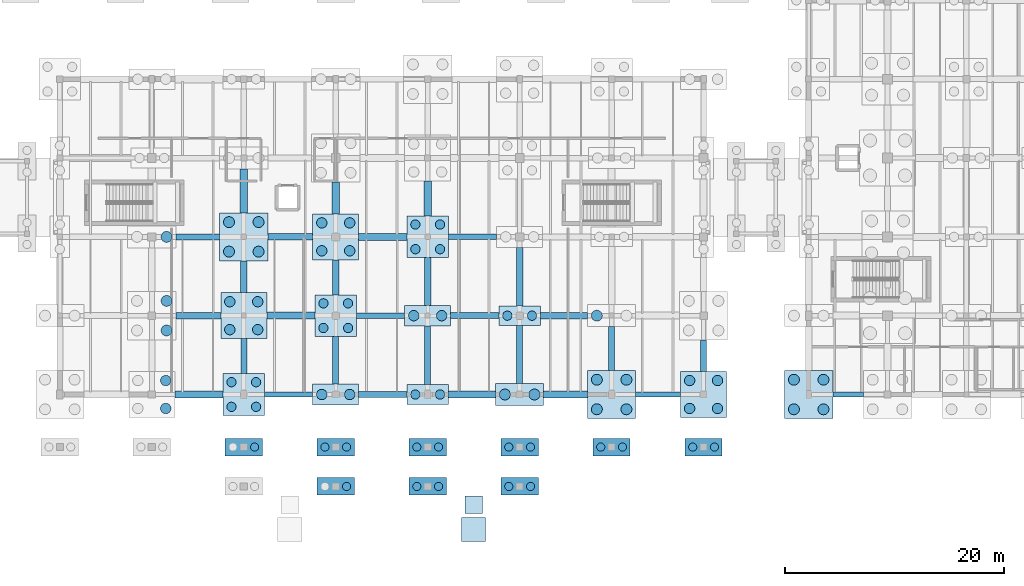
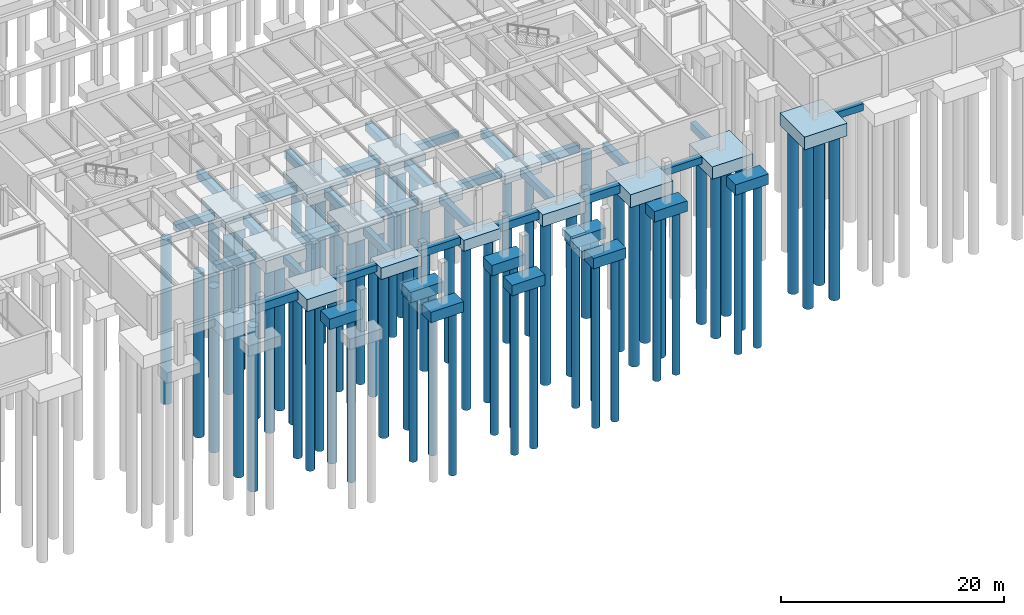
# One storey, part 4 of 63: 68 piles, 54 footings.
"""IFC4 building model written with IfcOpenShell, lengths in metres."""

from ifc_helpers import new_model, si_unit, direction, frame, origin, origin_2d, place, context, subcontext, project, spatial, rectangle, circle, extrude, material, material_profile, profile_set, type_object, element, save


model = new_model("IFC4")

# Units and contexts
model_context = context("Model", 3, precision=1e-05, world=origin(), true_north=direction((0.0, 1.0)))
body_context = subcontext(model_context, "Body", "Model", "MODEL_VIEW")
ifc_project = project(units=[si_unit("LENGTHUNIT", "METRE"), si_unit("AREAUNIT", "SQUARE_METRE"), si_unit("VOLUMEUNIT", "CUBIC_METRE"), si_unit("PLANEANGLEUNIT", "RADIAN"), si_unit("MASSUNIT", "GRAM", prefix="KILO")], contexts=[model_context])

# Site, building, storey
site_placement = place(None, origin())
site = spatial("IfcSite", under=ifc_project, at=site_placement, CompositionType="ELEMENT")
building_placement = place(site_placement, origin())
building = spatial("IfcBuilding", under=site, at=building_placement, Name="Mazaris Harbour Polytechnic", CompositionType="ELEMENT")
storey_placement = place(building_placement, frame((0.0, 0.0, -4.5)))
storey = spatial("IfcBuildingStorey", under=building, at=storey_placement, Name="B1", CompositionType="ELEMENT", Elevation=-4.5)

# Piles
ifc_material_1 = material(Name="Concrete C35/45", Category="concrete")
ifc_material_profile_1 = material_profile(ifc_material_1, circle(Radius=0.5, at=origin_2d()), Name="DIA1000")
ifc_profile_set_1 = profile_set([ifc_material_profile_1], Name="Concrete C35/45")
pile_type_1 = type_object("IfcPileType", Name="Bored Pile 1000", PredefinedType="BORED", material=ifc_profile_set_1)
for number, where, z_axis, x_axis, name in (
    (1, (121.050048828125, 5.85009765625, -1.719970703125), (0.0, 0.0, -1.0), (1.0, 0.0, 0.0), "Bored Pile BP-064-1"),
    (2, (123.75, 5.85009765625, -1.719970703125), (0.0, 0.0, -1.0), (1.0, 0.0, 0.0), "Bored Pile BP-064-2"),
    (3, (121.050048828125, 8.550048828125, -1.719970703125), (0.0, 0.0, -1.0), (1.0, 0.0, 0.0), "Bored Pile BP-064-3"),
    (4, (123.75, 8.550048828125, -1.719970703125), (0.0, 0.0, -1.0), (1.0, 0.0, 0.0), "Bored Pile BP-064-4"),
    (5, (63.75, 13.050048828125, -1.719970703125), (0.0, 0.0, -1.0), (1.0, 0.0, 0.0), "Bored Pile BP-118-2"),
    (6, (63.75, 15.75, -1.719970703125), (0.0, 0.0, -1.0), (1.0, 0.0, 0.0), "Bored Pile BP-118-4"),
    (7, (63.75, 21.60009765625, -1.6201171875), (0.0, 0.0, -1.0), (1.0, 0.0, 0.0), "Bored Pile BP-119-2"),
    (8, (69.449951171875, 20.25, -1.719970703125), (0.0, 0.0, -1.0), (1.0, 0.0, 0.0), "Bored Pile BP-124-1"),
    (9, (72.14990234375, 20.25, -1.719970703125), (0.0, 0.0, -1.0), (1.0, 0.0, 0.0), "Bored Pile BP-124-2"),
    (10, (69.449951171875, 22.949951171875, -1.719970703125), (0.0, 0.0, -1.0), (1.0, 0.0, 0.0), "Bored Pile BP-124-3"),
    (11, (72.14990234375, 22.949951171875, -1.719970703125), (0.0, 0.0, -1.0), (1.0, 0.0, 0.0), "Bored Pile BP-124-4"),
    (12, (94.64990234375, 7.199951171875, -1.6201171875), (0.0, 0.0, -1.0), (1.0, 0.0, 0.0), "Bored Pile BP-137-1"),
    (13, (97.35009765625, 7.199951171875, -1.6201171875), (0.0, 0.0, -1.0), (1.0, 0.0, 0.0), "Bored Pile BP-137-2"),
    (14, (103.050048828125, 5.85009765625, -1.719970703125), (0.0, 0.0, -1.0), (1.0, 0.0, 0.0), "Bored Pile BP-142-1"),
    (15, (105.75, 5.85009765625, -1.719970703125), (0.0, 0.0, -1.0), (1.0, 0.0, 0.0), "Bored Pile BP-142-2"),
    (16, (103.050048828125, 8.550048828125, -1.719970703125), (0.0, 0.0, -1.0), (1.0, 0.0, 0.0), "Bored Pile BP-142-3"),
    (17, (105.75, 8.550048828125, -1.719970703125), (0.0, 0.0, -1.0), (1.0, 0.0, 0.0), "Bored Pile BP-142-4"),
    (18, (103.050048828125, 14.39990234375, -1.6201171875), (0.0, 0.0, -1.0), (1.0, 0.0, 0.0), "Bored Pile BP-143-1"),
):
    element("IfcPile", number, at=place(storey_placement, frame(where, z_axis=z_axis, x_axis=x_axis)), inside=storey, type_object=pile_type_1, Name=name, PredefinedType="BORED", context=body_context, shape_type="SweptSolid", body=[
        extrude(circle(Radius=0.5, at=origin_2d()), origin(), (0.0, 0.0, 1.0), 18.0),
    ])
ifc_material_2 = material(Name="Concrete C35/45", Category="concrete")
ifc_material_profile_2 = material_profile(ifc_material_2, circle(Radius=0.375, at=origin_2d()), Name="DIA750")
ifc_profile_set_2 = profile_set([ifc_material_profile_2], Name="Concrete C35/45")
pile_type_2 = type_object("IfcPileType", Name="Bored Pile 750", PredefinedType="BORED", material=ifc_profile_set_2)
for number, where, z_axis, x_axis, name in (
    (19, (71.793701171875, 2.39990234375, -1.429931640625), (0.0, 0.0, -1.0), (1.0, 0.0, 0.0), "Bored Pile BP-330-2"),
    (20, (78.206298828125, 2.39990234375, -1.429931640625), (0.0, 0.0, -1.0), (1.0, 0.0, 0.0), "Bored Pile BP-331-1"),
    (21, (80.19384765625, 2.39990234375, -1.429931640625), (0.0, 0.0, -1.0), (1.0, 0.0, 0.0), "Bored Pile BP-331-2"),
    (22, (86.606201171875, 2.39990234375, -1.429931640625), (0.0, 0.0, -1.0), (1.0, 0.0, 0.0), "Bored Pile BP-332-1"),
    (23, (88.59375, 2.39990234375, -1.429931640625), (0.0, 0.0, -1.0), (1.0, 0.0, 0.0), "Bored Pile BP-332-2"),
    (24, (95.006103515625, 2.39990234375, -1.429931640625), (0.0, 0.0, -1.0), (1.0, 0.0, 0.0), "Bored Pile BP-333-1"),
    (25, (96.993896484375, 2.39990234375, -1.429931640625), (0.0, 0.0, -1.0), (1.0, 0.0, 0.0), "Bored Pile BP-333-2"),
    (26, (103.40625, 2.39990234375, -1.429931640625), (0.0, 0.0, -1.0), (1.0, 0.0, 0.0), "Bored Pile BP-334-1"),
    (27, (105.393798828125, 2.39990234375, -1.429931640625), (0.0, 0.0, -1.0), (1.0, 0.0, 0.0), "Bored Pile BP-334-2"),
    (28, (111.80615234375, 2.39990234375, -1.429931640625), (0.0, 0.0, -1.0), (1.0, 0.0, 0.0), "Bored Pile BP-335-1"),
    (29, (113.793701171875, 2.39990234375, -1.429931640625), (0.0, 0.0, -1.0), (1.0, 0.0, 0.0), "Bored Pile BP-335-2"),
    (30, (80.19384765625, -1.199951171875, -1.429931640625), (0.0, 0.0, -1.0), (1.0, 0.0, 0.0), "Bored Pile BP-337-2"),
    (31, (86.606201171875, -1.199951171875, -1.429931640625), (0.0, 0.0, -1.0), (1.0, 0.0, 0.0), "Bored Pile BP-338-1"),
    (32, (88.59375, -1.199951171875, -1.429931640625), (0.0, 0.0, -1.0), (1.0, 0.0, 0.0), "Bored Pile BP-338-2"),
    (33, (95.006103515625, -1.199951171875, -1.429931640625), (0.0, 0.0, -1.0), (1.0, 0.0, 0.0), "Bored Pile BP-339-1"),
    (34, (96.993896484375, -1.199951171875, -1.429931640625), (0.0, 0.0, -1.0), (1.0, 0.0, 0.0), "Bored Pile BP-339-2"),
):
    element("IfcPile", number, at=place(storey_placement, frame(where, z_axis=z_axis, x_axis=x_axis)), inside=storey, type_object=pile_type_2, Name=name, PredefinedType="BORED", context=body_context, shape_type="SweptSolid", body=[
        extrude(circle(Radius=0.375, at=origin_2d()), origin(), (0.0, 0.0, 1.0), 18.0),
    ])
ifc_material_3 = material(Name="Concrete C35/45", Category="concrete")
ifc_material_profile_3 = material_profile(ifc_material_3, circle(Radius=0.425048828125, at=origin_2d()), Name="DIA850")
ifc_profile_set_3 = profile_set([ifc_material_profile_3], Name="Concrete C35/45")
pile_type_3 = type_object("IfcPileType", Name="Bored Pile 850", PredefinedType="BORED", material=ifc_profile_set_3)
for number, where, z_axis, x_axis, name in (
    (35, (69.673828125, 6.07373046875, -1.6201171875), (0.0, 0.0, -1.0), (1.0, 0.0, 0.0), "Bored Pile BP-122-1"),
    (36, (71.92626953125, 6.07373046875, -1.6201171875), (0.0, 0.0, -1.0), (1.0, 0.0, 0.0), "Bored Pile BP-122-2"),
    (37, (69.673828125, 8.326171875, -1.6201171875), (0.0, 0.0, -1.0), (1.0, 0.0, 0.0), "Bored Pile BP-122-3"),
    (38, (71.92626953125, 8.326171875, -1.6201171875), (0.0, 0.0, -1.0), (1.0, 0.0, 0.0), "Bored Pile BP-122-4"),
    (39, (78.07373046875, 13.273681640625, -1.6201171875), (0.0, 0.0, -1.0), (1.0, 0.0, 0.0), "Bored Pile BP-128-1"),
    (40, (80.326171875, 13.273681640625, -1.6201171875), (0.0, 0.0, -1.0), (1.0, 0.0, 0.0), "Bored Pile BP-128-2"),
    (41, (78.07373046875, 15.526123046875, -1.6201171875), (0.0, 0.0, -1.0), (1.0, 0.0, 0.0), "Bored Pile BP-128-3"),
    (42, (80.326171875, 15.526123046875, -1.6201171875), (0.0, 0.0, -1.0), (1.0, 0.0, 0.0), "Bored Pile BP-128-4"),
    (43, (86.473876953125, 7.199951171875, -1.52001953125), (0.0, 0.0, -1.0), (1.0, 0.0, 0.0), "Bored Pile BP-132-1"),
    (44, (88.726318359375, 7.199951171875, -1.52001953125), (0.0, 0.0, -1.0), (1.0, 0.0, 0.0), "Bored Pile BP-132-2"),
    (45, (86.473876953125, 20.473876953125, -1.6201171875), (0.0, 0.0, -1.0), (1.0, 0.0, 0.0), "Bored Pile BP-134-1"),
    (46, (88.726318359375, 20.473876953125, -1.6201171875), (0.0, 0.0, -1.0), (1.0, 0.0, 0.0), "Bored Pile BP-134-2"),
    (47, (86.473876953125, 22.726318359375, -1.6201171875), (0.0, 0.0, -1.0), (1.0, 0.0, 0.0), "Bored Pile BP-134-3"),
    (48, (88.726318359375, 22.726318359375, -1.6201171875), (0.0, 0.0, -1.0), (1.0, 0.0, 0.0), "Bored Pile BP-134-4"),
    (49, (94.873779296875, 14.39990234375, -1.52001953125), (0.0, 0.0, -1.0), (1.0, 0.0, 0.0), "Bored Pile BP-138-1"),
    (50, (97.126220703125, 14.39990234375, -1.52001953125), (0.0, 0.0, -1.0), (1.0, 0.0, 0.0), "Bored Pile BP-138-2"),
):
    element("IfcPile", number, at=place(storey_placement, frame(where, z_axis=z_axis, x_axis=x_axis)), inside=storey, type_object=pile_type_3, Name=name, PredefinedType="BORED", context=body_context, shape_type="SweptSolid", body=[
        extrude(circle(Radius=0.425048828125, at=origin_2d()), origin(), (0.0, 0.0, 1.0), 18.0),
    ])
ifc_material_4 = material(Name="Concrete C35/45", Category="concrete")
ifc_material_profile_4 = material_profile(ifc_material_4, circle(Radius=0.47509765625, at=origin_2d()), Name="DIA950")
ifc_profile_set_4 = profile_set([ifc_material_profile_4], Name="Concrete C35/45")
pile_type_4 = type_object("IfcPileType", Name="Bored Pile 950", PredefinedType="BORED", material=ifc_profile_set_4)
for number, where, z_axis, x_axis, name in (
    (51, (63.675048828125, 5.925048828125, -1.669921875), (0.0, 0.0, -1.0), (1.0, 0.0, 0.0), "Bored Pile BP-117-2"),
    (52, (63.675048828125, 8.47509765625, -1.669921875), (0.0, 0.0, -1.0), (1.0, 0.0, 0.0), "Bored Pile BP-117-4"),
    (53, (69.52490234375, 13.125, -1.669921875), (0.0, 0.0, -1.0), (1.0, 0.0, 0.0), "Bored Pile BP-123-1"),
    (54, (72.074951171875, 13.125, -1.669921875), (0.0, 0.0, -1.0), (1.0, 0.0, 0.0), "Bored Pile BP-123-2"),
    (55, (69.52490234375, 15.675048828125, -1.669921875), (0.0, 0.0, -1.0), (1.0, 0.0, 0.0), "Bored Pile BP-123-3"),
    (56, (72.074951171875, 15.675048828125, -1.669921875), (0.0, 0.0, -1.0), (1.0, 0.0, 0.0), "Bored Pile BP-123-4"),
    (57, (77.925048828125, 7.199951171875, -1.570068359375), (0.0, 0.0, -1.0), (1.0, 0.0, 0.0), "Bored Pile BP-127-1"),
    (58, (80.47509765625, 7.199951171875, -1.570068359375), (0.0, 0.0, -1.0), (1.0, 0.0, 0.0), "Bored Pile BP-127-2"),
    (59, (77.925048828125, 20.324951171875, -1.669921875), (0.0, 0.0, -1.0), (1.0, 0.0, 0.0), "Bored Pile BP-129-1"),
    (60, (80.47509765625, 20.324951171875, -1.669921875), (0.0, 0.0, -1.0), (1.0, 0.0, 0.0), "Bored Pile BP-129-2"),
    (61, (77.925048828125, 22.875, -1.669921875), (0.0, 0.0, -1.0), (1.0, 0.0, 0.0), "Bored Pile BP-129-3"),
    (62, (80.47509765625, 22.875, -1.669921875), (0.0, 0.0, -1.0), (1.0, 0.0, 0.0), "Bored Pile BP-129-4"),
    (63, (86.324951171875, 14.39990234375, -1.570068359375), (0.0, 0.0, -1.0), (1.0, 0.0, 0.0), "Bored Pile BP-133-1"),
    (64, (88.875, 14.39990234375, -1.570068359375), (0.0, 0.0, -1.0), (1.0, 0.0, 0.0), "Bored Pile BP-133-2"),
    (65, (111.52490234375, 5.925048828125, -1.669921875), (0.0, 0.0, -1.0), (1.0, 0.0, 0.0), "Bored Pile BP-147-1"),
    (66, (114.074951171875, 5.925048828125, -1.669921875), (0.0, 0.0, -1.0), (1.0, 0.0, 0.0), "Bored Pile BP-147-2"),
    (67, (111.52490234375, 8.47509765625, -1.669921875), (0.0, 0.0, -1.0), (1.0, 0.0, 0.0), "Bored Pile BP-147-3"),
    (68, (114.074951171875, 8.47509765625, -1.669921875), (0.0, 0.0, -1.0), (1.0, 0.0, 0.0), "Bored Pile BP-147-4"),
):
    element("IfcPile", number, at=place(storey_placement, frame(where, z_axis=z_axis, x_axis=x_axis)), inside=storey, type_object=pile_type_4, Name=name, PredefinedType="BORED", context=body_context, shape_type="SweptSolid", body=[
        extrude(circle(Radius=0.47509765625, at=origin_2d()), origin(), (0.0, 0.0, 1.0), 18.0),
    ])

# Footings
ifc_material_5 = material(Name="Concrete C35/45", Category="concrete")
footing_type_1 = type_object("IfcFootingType", Name="Pad Footing 1600x1600x750", PredefinedType="PAD_FOOTING", material=ifc_material_5)
footing_1_placement = place(storey_placement, frame((91.800048828125, -2.8701171875, 3.405029296875), z_axis=(0.0, 0.0, 1.0), x_axis=(1.0, 0.0, 0.0)))
element("IfcFooting", 69, at=footing_1_placement, inside=storey, type_object=footing_type_1, Name="RAMP-02 Top Landing Footing", PredefinedType="PAD_FOOTING", context=body_context, shape_type="SweptSolid", body=[
    extrude(rectangle(XDim=1.60009765625, YDim=1.60009765625, at=origin_2d()), origin(), (0.0, 0.0, 1.0), 0.75),
])
ifc_material_6 = material(Name="Concrete C35/45", Category="concrete")
footing_type_2 = type_object("IfcFootingType", Name="Pad Footing 2200x2200x900", PredefinedType="PAD_FOOTING", material=ifc_material_6)
footing_2_placement = place(storey_placement, frame((91.800048828125, -5.1201171875, 3.300048828125), z_axis=(0.0, 0.0, 1.0), x_axis=(1.0, 0.0, 0.0)))
element("IfcFooting", 70, at=footing_2_placement, inside=storey, type_object=footing_type_2, Name="RAMP-02 Bottom Landing Footing", PredefinedType="PAD_FOOTING", context=body_context, shape_type="SweptSolid", body=[
    extrude(rectangle(XDim=2.199951171875, YDim=2.199951171875, at=origin_2d()), origin(), (0.0, 0.0, 1.0), 0.89990234375),
])
ifc_material_7 = material(Name="Concrete C35/45", Category="concrete")
footing_type_3 = type_object("IfcFootingType", Name="Pile Cap 3400x1600x1150", PredefinedType="PILE_CAP", material=ifc_material_7)
for number, where, z_axis, x_axis, name in (
    (71, (70.800048828125, 2.39990234375, -1.530029296875), (0.0, 0.0, 1.0), (1.0, 0.0, 0.0), "Pile Cap CAP-330"),
    (72, (79.199951171875, 2.39990234375, -1.530029296875), (0.0, 0.0, 1.0), (1.0, 0.0, 0.0), "Pile Cap CAP-331"),
    (73, (87.60009765625, 2.39990234375, -1.530029296875), (0.0, 0.0, 1.0), (1.0, 0.0, 0.0), "Pile Cap CAP-332"),
    (74, (96.0, 2.39990234375, -1.530029296875), (0.0, 0.0, 1.0), (1.0, 0.0, 0.0), "Pile Cap CAP-333"),
    (75, (104.39990234375, 2.39990234375, -1.530029296875), (0.0, 0.0, 1.0), (1.0, 0.0, 0.0), "Pile Cap CAP-334"),
    (76, (112.800048828125, 2.39990234375, -1.530029296875), (0.0, 0.0, 1.0), (1.0, 0.0, 0.0), "Pile Cap CAP-335"),
    (77, (79.199951171875, -1.199951171875, -1.530029296875), (0.0, 0.0, 1.0), (1.0, 0.0, 0.0), "Pile Cap CAP-337"),
    (78, (87.60009765625, -1.199951171875, -1.530029296875), (0.0, 0.0, 1.0), (1.0, 0.0, 0.0), "Pile Cap CAP-338"),
    (79, (96.0, -1.199951171875, -1.530029296875), (0.0, 0.0, 1.0), (1.0, 0.0, 0.0), "Pile Cap CAP-339"),
):
    element("IfcFooting", number, at=place(storey_placement, frame(where, z_axis=z_axis, x_axis=x_axis)), inside=storey, type_object=footing_type_3, Name=name, PredefinedType="PILE_CAP", context=body_context, shape_type="SweptSolid", body=[
        extrude(rectangle(XDim=3.39990234375, YDim=1.60009765625, at=origin_2d()), origin(), (0.0, 0.0, 1.0), 1.14990234375),
    ])
ifc_material_8 = material(Name="Concrete C35/45", Category="concrete")
footing_type_4 = type_object("IfcFootingType", Name="Pile Cap 3800x1800x1200", PredefinedType="PILE_CAP", material=ifc_material_8)
for number, where, z_axis, x_axis, name in (
    (80, (87.60009765625, 7.199951171875, -1.6201171875), (0.0, 0.0, 1.0), (1.0, 0.0, 0.0), "Pile Cap CAP-132"),
    (81, (96.0, 14.39990234375, -1.6201171875), (0.0, 0.0, 1.0), (1.0, 0.0, 0.0), "Pile Cap CAP-138"),
):
    element("IfcFooting", number, at=place(storey_placement, frame(where, z_axis=z_axis, x_axis=x_axis)), inside=storey, type_object=footing_type_4, Name=name, PredefinedType="PILE_CAP", context=body_context, shape_type="SweptSolid", body=[
        extrude(rectangle(XDim=3.800048828125, YDim=1.800048828125, at=origin_2d()), origin(), (0.0, 0.0, 1.0), 1.199951171875),
    ])
ifc_material_9 = material(Name="Concrete C35/45", Category="concrete")
footing_type_5 = type_object("IfcFootingType", Name="Pile Cap 3800x3800x1300", PredefinedType="PILE_CAP", material=ifc_material_9)
for number, where, z_axis, x_axis, name in (
    (82, (70.800048828125, 7.199951171875, -1.72021484375), (0.0, 0.0, 1.0), (1.0, 0.0, 0.0), "Pile Cap CAP-122"),
    (83, (79.199951171875, 14.39990234375, -1.72021484375), (0.0, 0.0, 1.0), (1.0, 0.0, 0.0), "Pile Cap CAP-128"),
    (84, (87.60009765625, 21.60009765625, -1.72021484375), (0.0, 0.0, 1.0), (1.0, 0.0, 0.0), "Pile Cap CAP-134"),
):
    element("IfcFooting", number, at=place(storey_placement, frame(where, z_axis=z_axis, x_axis=x_axis)), inside=storey, type_object=footing_type_5, Name=name, PredefinedType="PILE_CAP", context=body_context, shape_type="SweptSolid", body=[
        extrude(rectangle(XDim=3.800048828125, YDim=3.800048828125, at=origin_2d()), origin(), (0.0, 0.0, 1.0), 1.300048828125),
    ])
ifc_material_10 = material(Name="Concrete C35/45", Category="concrete")
footing_type_6 = type_object("IfcFootingType", Name="Pile Cap 4200x1900x1250", PredefinedType="PILE_CAP", material=ifc_material_10)
for number, where, z_axis, x_axis, name in (
    (85, (79.199951171875, 7.199951171875, -1.669921875), (0.0, 0.0, 1.0), (1.0, 0.0, 0.0), "Pile Cap CAP-127"),
    (86, (87.60009765625, 14.39990234375, -1.669921875), (0.0, 0.0, 1.0), (1.0, 0.0, 0.0), "Pile Cap CAP-133"),
):
    element("IfcFooting", number, at=place(storey_placement, frame(where, z_axis=z_axis, x_axis=x_axis)), inside=storey, type_object=footing_type_6, Name=name, PredefinedType="PILE_CAP", context=body_context, shape_type="SweptSolid", body=[
        extrude(rectangle(XDim=4.199951171875, YDim=1.89990234375, at=origin_2d()), origin(), (0.0, 0.0, 1.0), 1.25),
    ])
ifc_material_11 = material(Name="Concrete C35/45", Category="concrete")
footing_type_7 = type_object("IfcFootingType", Name="Pile Cap 4200x4200x1350", PredefinedType="PILE_CAP", material=ifc_material_11)
for number, where, z_axis, x_axis, name in (
    (87, (70.800048828125, 14.39990234375, -1.77001953125), (0.0, 0.0, 1.0), (1.0, 0.0, 0.0), "Pile Cap CAP-123"),
    (88, (79.199951171875, 21.60009765625, -1.77001953125), (0.0, 0.0, 1.0), (1.0, 0.0, 0.0), "Pile Cap CAP-129"),
    (89, (112.800048828125, 7.199951171875, -1.77001953125), (0.0, 0.0, 1.0), (1.0, 0.0, 0.0), "Pile Cap CAP-147"),
):
    element("IfcFooting", number, at=place(storey_placement, frame(where, z_axis=z_axis, x_axis=x_axis)), inside=storey, type_object=footing_type_7, Name=name, PredefinedType="PILE_CAP", context=body_context, shape_type="SweptSolid", body=[
        extrude(rectangle(XDim=4.199951171875, YDim=4.199951171875, at=origin_2d()), origin(), (0.0, 0.0, 1.0), 1.35009765625),
    ])
ifc_material_12 = material(Name="Concrete C35/45", Category="concrete")
footing_type_8 = type_object("IfcFootingType", Name="Pile Cap 4400x2000x1300", PredefinedType="PILE_CAP", material=ifc_material_12)
footing_3_placement = place(storey_placement, frame((96.0, 7.199951171875, -1.72021484375), z_axis=(0.0, 0.0, 1.0), x_axis=(1.0, 0.0, 0.0)))
element("IfcFooting", 90, at=footing_3_placement, inside=storey, type_object=footing_type_8, Name="Pile Cap CAP-137", PredefinedType="PILE_CAP", context=body_context, shape_type="SweptSolid", body=[
    extrude(rectangle(XDim=4.39990234375, YDim=2.0, at=origin_2d()), origin(), (0.0, 0.0, 1.0), 1.300048828125),
])
ifc_material_13 = material(Name="Concrete C35/45", Category="concrete")
footing_type_9 = type_object("IfcFootingType", Name="Pile Cap 4400x4400x1400", PredefinedType="PILE_CAP", material=ifc_material_13)
for number, where, z_axis, x_axis, name in (
    (91, (122.39990234375, 7.199951171875, -1.820068359375), (0.0, 0.0, 1.0), (1.0, 0.0, 0.0), "Pile Cap CAP-064"),
    (92, (70.800048828125, 21.60009765625, -1.820068359375), (0.0, 0.0, 1.0), (1.0, 0.0, 0.0), "Pile Cap CAP-124"),
    (93, (104.39990234375, 7.199951171875, -1.820068359375), (0.0, 0.0, 1.0), (1.0, 0.0, 0.0), "Pile Cap CAP-142"),
):
    element("IfcFooting", number, at=place(storey_placement, frame(where, z_axis=z_axis, x_axis=x_axis)), inside=storey, type_object=footing_type_9, Name=name, PredefinedType="PILE_CAP", context=body_context, shape_type="SweptSolid", body=[
        extrude(rectangle(XDim=4.39990234375, YDim=4.39990234375, at=origin_2d()), origin(), (0.0, 0.0, 1.0), 1.39990234375),
    ])
ifc_material_14 = material(Name="Concrete C35/45", Category="concrete")
ifc_material_profile_5 = material_profile(ifc_material_14, rectangle(XDim=0.5, YDim=0.75, at=origin_2d()), Name="RECT500x750")
ifc_profile_set_5 = profile_set([ifc_material_profile_5], Name="Concrete C35/45")
footing_type_10 = type_object("IfcFootingType", Name="Seismic Tie Beam 500x750", PredefinedType="FOOTING_BEAM", material=ifc_profile_set_5)
footing_4_placement = place(storey_placement, frame((124.60009765625, 7.199951171875, -0.8349609375), z_axis=(1.0, 0.0, 0.0), x_axis=(0.0, 1.0, 0.0)))
element("IfcFooting", 94, at=footing_4_placement, inside=storey, type_object=footing_type_10, Name="Seismic Tie Beam FTB-104", PredefinedType="FOOTING_BEAM", context=body_context, shape_type="SweptSolid", body=[
    extrude(rectangle(XDim=0.5, YDim=0.75, at=origin_2d()), origin(), (0.0, 0.0, 1.0), 2.7998046875),
])
footing_5_placement = place(storey_placement, frame((72.699951171875, 7.199951171875, -0.8349609375), z_axis=(1.0, 0.0, 0.0), x_axis=(0.0, 1.0, 0.0)))
element("IfcFooting", 95, at=footing_5_placement, inside=storey, type_object=footing_type_10, Name="Seismic Tie Beam FTB-188", PredefinedType="FOOTING_BEAM", context=body_context, shape_type="SweptSolid", body=[
    extrude(rectangle(XDim=0.5, YDim=0.75, at=origin_2d()), origin(), (0.0, 0.0, 1.0), 4.400146484375),
])
footing_6_placement = place(storey_placement, frame((106.60009765625, 7.199951171875, -0.8349609375), z_axis=(1.0, 0.0, 0.0), x_axis=(0.0, 1.0, 0.0)))
element("IfcFooting", 96, at=footing_6_placement, inside=storey, type_object=footing_type_10, Name="Seismic Tie Beam FTB-192", PredefinedType="FOOTING_BEAM", context=body_context, shape_type="SweptSolid", body=[
    extrude(rectangle(XDim=0.5, YDim=0.75, at=origin_2d()), origin(), (0.0, 0.0, 1.0), 4.099853515625),
])
for number, where, z_axis, x_axis, name in (
    (97, (81.10009765625, 14.39990234375, -0.8349609375), (1.0, 0.0, 0.0), (0.0, 1.0, 0.0), "Seismic Tie Beam FTB-196"),
    (98, (89.5, 21.60009765625, -0.8349609375), (1.0, 0.0, 0.0), (0.0, 1.0, 0.0), "Seismic Tie Beam FTB-204"),
):
    element("IfcFooting", number, at=place(storey_placement, frame(where, z_axis=z_axis, x_axis=x_axis)), inside=storey, type_object=footing_type_10, Name=name, PredefinedType="FOOTING_BEAM", context=body_context, shape_type="SweptSolid", body=[
        extrude(rectangle(XDim=0.5, YDim=0.75, at=origin_2d()), origin(), (0.0, 0.0, 1.0), 4.39990234375),
    ])
ifc_material_15 = material(Name="Concrete C35/45", Category="concrete")
ifc_material_profile_6 = material_profile(ifc_material_15, rectangle(XDim=0.550048828125, YDim=0.800048828125, at=origin_2d()), Name="RECT550x800")
ifc_profile_set_6 = profile_set([ifc_material_profile_6], Name="Concrete C35/45")
footing_type_11 = type_object("IfcFootingType", Name="Seismic Tie Beam 550x800", PredefinedType="FOOTING_BEAM", material=ifc_profile_set_6)
footing_7_placement = place(storey_placement, frame((81.300048828125, 7.199951171875, -0.860107421875), z_axis=(1.0, 0.0, 0.0), x_axis=(0.0, 1.0, 0.0)))
element("IfcFooting", 99, at=footing_7_placement, inside=storey, type_object=footing_type_11, Name="Seismic Tie Beam FTB-189", PredefinedType="FOOTING_BEAM", context=body_context, shape_type="SweptSolid", body=[
    extrude(rectangle(XDim=0.550048828125, YDim=0.800048828125, at=origin_2d()), origin(), (0.0, 0.0, 1.0), 4.39990234375),
])
footing_8_placement = place(storey_placement, frame((89.699951171875, 14.39990234375, -0.860107421875), z_axis=(1.0, 0.0, 0.0), x_axis=(0.0, 1.0, 0.0)))
element("IfcFooting", 100, at=footing_8_placement, inside=storey, type_object=footing_type_11, Name="Seismic Tie Beam FTB-197", PredefinedType="FOOTING_BEAM", context=body_context, shape_type="SweptSolid", body=[
    extrude(rectangle(XDim=0.550048828125, YDim=0.800048828125, at=origin_2d()), origin(), (0.0, 0.0, 1.0), 4.400146484375),
])
footing_9_placement = place(storey_placement, frame((64.60009765625, 21.60009765625, -0.860107421875), z_axis=(1.0, 0.0, 0.0), x_axis=(0.0, 1.0, 0.0)))
element("IfcFooting", 101, at=footing_9_placement, inside=storey, type_object=footing_type_11, Name="Seismic Tie Beam FTB-201", PredefinedType="FOOTING_BEAM", context=body_context, shape_type="SweptSolid", body=[
    extrude(rectangle(XDim=0.550048828125, YDim=0.800048828125, at=origin_2d()), origin(), (0.0, 0.0, 1.0), 4.0),
])
footing_10_placement = place(storey_placement, frame((70.800048828125, 9.10009765625, -0.860107421875), z_axis=(0.0, 1.0, 0.0), x_axis=(-1.0, 0.0, 0.0)))
element("IfcFooting", 102, at=footing_10_placement, inside=storey, type_object=footing_type_11, Name="Seismic Tie Beam FTB-229", PredefinedType="FOOTING_BEAM", context=body_context, shape_type="SweptSolid", body=[
    extrude(rectangle(XDim=0.550048828125, YDim=0.800048828125, at=origin_2d()), origin(), (0.0, 0.0, 1.0), 3.199951171875),
])
footing_11_placement = place(storey_placement, frame((79.199951171875, 8.14990234375, -0.860107421875), z_axis=(0.0, 1.0, 0.0), x_axis=(-1.0, 0.0, 0.0)))
element("IfcFooting", 103, at=footing_11_placement, inside=storey, type_object=footing_type_11, Name="Seismic Tie Beam FTB-233", PredefinedType="FOOTING_BEAM", context=body_context, shape_type="SweptSolid", body=[
    extrude(rectangle(XDim=0.550048828125, YDim=0.800048828125, at=origin_2d()), origin(), (0.0, 0.0, 1.0), 4.35009765625),
])
footing_12_placement = place(storey_placement, frame((87.60009765625, 8.10009765625, -0.860107421875), z_axis=(0.0, 1.0, 0.0), x_axis=(-1.0, 0.0, 0.0)))
element("IfcFooting", 104, at=footing_12_placement, inside=storey, type_object=footing_type_11, Name="Seismic Tie Beam FTB-237", PredefinedType="FOOTING_BEAM", context=body_context, shape_type="SweptSolid", body=[
    extrude(rectangle(XDim=0.550048828125, YDim=0.800048828125, at=origin_2d()), origin(), (0.0, 0.0, 1.0), 5.349853515625),
])
footing_13_placement = place(storey_placement, frame((96.0, 8.199951171875, -0.860107421875), z_axis=(0.0, 1.0, 0.0), x_axis=(-1.0, 0.0, 0.0)))
element("IfcFooting", 105, at=footing_13_placement, inside=storey, type_object=footing_type_11, Name="Seismic Tie Beam FTB-241", PredefinedType="FOOTING_BEAM", context=body_context, shape_type="SweptSolid", body=[
    extrude(rectangle(XDim=0.550048828125, YDim=0.800048828125, at=origin_2d()), origin(), (0.0, 0.0, 1.0), 5.300048828125),
])
footing_14_placement = place(storey_placement, frame((104.39990234375, 9.39990234375, -0.860107421875), z_axis=(0.0, 1.0, 0.0), x_axis=(-1.0, 0.0, 0.0)))
element("IfcFooting", 106, at=footing_14_placement, inside=storey, type_object=footing_type_11, Name="Seismic Tie Beam FTB-245", PredefinedType="FOOTING_BEAM", context=body_context, shape_type="SweptSolid", body=[
    extrude(rectangle(XDim=0.550048828125, YDim=0.800048828125, at=origin_2d()), origin(), (0.0, 0.0, 1.0), 4.0),
])
footing_15_placement = place(storey_placement, frame((112.800048828125, 9.300048828125, -0.860107421875), z_axis=(0.0, 1.0, 0.0), x_axis=(-1.0, 0.0, 0.0)))
element("IfcFooting", 107, at=footing_15_placement, inside=storey, type_object=footing_type_11, Name="Seismic Tie Beam FTB-249", PredefinedType="FOOTING_BEAM", context=body_context, shape_type="SweptSolid", body=[
    extrude(rectangle(XDim=0.550048828125, YDim=0.800048828125, at=origin_2d()), origin(), (0.0, 0.0, 1.0), 2.89990234375),
])
ifc_material_16 = material(Name="Concrete C35/45", Category="concrete")
ifc_material_profile_7 = material_profile(ifc_material_16, rectangle(XDim=0.60009765625, YDim=0.85009765625, at=origin_2d()), Name="RECT600x850")
ifc_profile_set_7 = profile_set([ifc_material_profile_7], Name="Concrete C35/45")
footing_type_12 = type_object("IfcFootingType", Name="Seismic Tie Beam 600x850", PredefinedType="FOOTING_BEAM", material=ifc_profile_set_7)
footing_16_placement = place(storey_placement, frame((89.5, 7.199951171875, -0.885009765625), z_axis=(1.0, 0.0, 0.0), x_axis=(0.0, 1.0, 0.0)))
element("IfcFooting", 108, at=footing_16_placement, inside=storey, type_object=footing_type_12, Name="Seismic Tie Beam FTB-190", PredefinedType="FOOTING_BEAM", context=body_context, shape_type="SweptSolid", body=[
    extrude(rectangle(XDim=0.60009765625, YDim=0.85009765625, at=origin_2d()), origin(), (0.0, 0.0, 1.0), 4.300048828125),
])
footing_17_placement = place(storey_placement, frame((64.60009765625, 14.39990234375, -0.885009765625), z_axis=(1.0, 0.0, 0.0), x_axis=(0.0, 1.0, 0.0)))
element("IfcFooting", 109, at=footing_17_placement, inside=storey, type_object=footing_type_12, Name="Seismic Tie Beam FTB-194", PredefinedType="FOOTING_BEAM", context=body_context, shape_type="SweptSolid", body=[
    extrude(rectangle(XDim=0.60009765625, YDim=0.85009765625, at=origin_2d()), origin(), (0.0, 0.0, 1.0), 4.099853515625),
])
footing_18_placement = place(storey_placement, frame((97.89990234375, 14.39990234375, -0.885009765625), z_axis=(1.0, 0.0, 0.0), x_axis=(0.0, 1.0, 0.0)))
element("IfcFooting", 110, at=footing_18_placement, inside=storey, type_object=footing_type_12, Name="Seismic Tie Beam FTB-198", PredefinedType="FOOTING_BEAM", context=body_context, shape_type="SweptSolid", body=[
    extrude(rectangle(XDim=0.60009765625, YDim=0.85009765625, at=origin_2d()), origin(), (0.0, 0.0, 1.0), 4.300048828125),
])
footing_19_placement = place(storey_placement, frame((73.0, 21.60009765625, -0.885009765625), z_axis=(1.0, 0.0, 0.0), x_axis=(0.0, 1.0, 0.0)))
element("IfcFooting", 111, at=footing_19_placement, inside=storey, type_object=footing_type_12, Name="Seismic Tie Beam FTB-202", PredefinedType="FOOTING_BEAM", context=body_context, shape_type="SweptSolid", body=[
    extrude(rectangle(XDim=0.60009765625, YDim=0.85009765625, at=origin_2d()), origin(), (0.0, 0.0, 1.0), 4.10009765625),
])
footing_20_placement = place(storey_placement, frame((70.800048828125, 16.5, -0.885009765625), z_axis=(0.0, 1.0, 0.0), x_axis=(-1.0, 0.0, 0.0)))
element("IfcFooting", 112, at=footing_20_placement, inside=storey, type_object=footing_type_12, Name="Seismic Tie Beam FTB-230", PredefinedType="FOOTING_BEAM", context=body_context, shape_type="SweptSolid", body=[
    extrude(rectangle(XDim=0.60009765625, YDim=0.85009765625, at=origin_2d()), origin(), (0.0, 0.0, 1.0), 2.89990234375),
])
footing_21_placement = place(storey_placement, frame((79.199951171875, 16.300048828125, -0.885009765625), z_axis=(0.0, 1.0, 0.0), x_axis=(-1.0, 0.0, 0.0)))
element("IfcFooting", 113, at=footing_21_placement, inside=storey, type_object=footing_type_12, Name="Seismic Tie Beam FTB-234", PredefinedType="FOOTING_BEAM", context=body_context, shape_type="SweptSolid", body=[
    extrude(rectangle(XDim=0.60009765625, YDim=0.85009765625, at=origin_2d()), origin(), (0.0, 0.0, 1.0), 3.199951171875),
])
footing_22_placement = place(storey_placement, frame((87.60009765625, 15.35009765625, -0.885009765625), z_axis=(0.0, 1.0, 0.0), x_axis=(-1.0, 0.0, 0.0)))
element("IfcFooting", 114, at=footing_22_placement, inside=storey, type_object=footing_type_12, Name="Seismic Tie Beam FTB-238", PredefinedType="FOOTING_BEAM", context=body_context, shape_type="SweptSolid", body=[
    extrude(rectangle(XDim=0.60009765625, YDim=0.85009765625, at=origin_2d()), origin(), (0.0, 0.0, 1.0), 4.349853515625),
])
footing_23_placement = place(storey_placement, frame((96.0, 15.300048828125, -0.885009765625), z_axis=(0.0, 1.0, 0.0), x_axis=(-1.0, 0.0, 0.0)))
element("IfcFooting", 115, at=footing_23_placement, inside=storey, type_object=footing_type_12, Name="Seismic Tie Beam FTB-242", PredefinedType="FOOTING_BEAM", context=body_context, shape_type="SweptSolid", body=[
    extrude(rectangle(XDim=0.60009765625, YDim=0.85009765625, at=origin_2d()), origin(), (0.0, 0.0, 1.0), 5.349853515625),
])
ifc_material_17 = material(Name="Concrete C35/45", Category="concrete")
ifc_material_profile_8 = material_profile(ifc_material_17, rectangle(XDim=0.64990234375, YDim=0.89990234375, at=origin_2d()), Name="RECT650x900")
ifc_profile_set_8 = profile_set([ifc_material_profile_8], Name="Concrete C35/45")
footing_type_13 = type_object("IfcFootingType", Name="Seismic Tie Beam 650x900", PredefinedType="FOOTING_BEAM", material=ifc_profile_set_8)
footing_24_placement = place(storey_placement, frame((64.5, 7.199951171875, -0.909912109375), z_axis=(1.0, 0.0, 0.0), x_axis=(0.0, 1.0, 0.0)))
element("IfcFooting", 116, at=footing_24_placement, inside=storey, type_object=footing_type_13, Name="Seismic Tie Beam FTB-187", PredefinedType="FOOTING_BEAM", context=body_context, shape_type="SweptSolid", body=[
    extrude(rectangle(XDim=0.64990234375, YDim=0.89990234375, at=origin_2d()), origin(), (0.0, 0.0, 1.0), 4.39990234375),
])
footing_25_placement = place(storey_placement, frame((98.199951171875, 7.199951171875, -0.909912109375), z_axis=(1.0, 0.0, 0.0), x_axis=(0.0, 1.0, 0.0)))
element("IfcFooting", 117, at=footing_25_placement, inside=storey, type_object=footing_type_13, Name="Seismic Tie Beam FTB-191", PredefinedType="FOOTING_BEAM", context=body_context, shape_type="SweptSolid", body=[
    extrude(rectangle(XDim=0.64990234375, YDim=0.89990234375, at=origin_2d()), origin(), (0.0, 0.0, 1.0), 4.0),
])
footing_26_placement = place(storey_placement, frame((72.89990234375, 14.39990234375, -0.909912109375), z_axis=(1.0, 0.0, 0.0), x_axis=(0.0, 1.0, 0.0)))
element("IfcFooting", 118, at=footing_26_placement, inside=storey, type_object=footing_type_13, Name="Seismic Tie Beam FTB-195", PredefinedType="FOOTING_BEAM", context=body_context, shape_type="SweptSolid", body=[
    extrude(rectangle(XDim=0.64990234375, YDim=0.89990234375, at=origin_2d()), origin(), (0.0, 0.0, 1.0), 4.400146484375),
])
footing_27_placement = place(storey_placement, frame((81.300048828125, 21.60009765625, -0.909912109375), z_axis=(1.0, 0.0, 0.0), x_axis=(0.0, 1.0, 0.0)))
element("IfcFooting", 119, at=footing_27_placement, inside=storey, type_object=footing_type_13, Name="Seismic Tie Beam FTB-203", PredefinedType="FOOTING_BEAM", context=body_context, shape_type="SweptSolid", body=[
    extrude(rectangle(XDim=0.64990234375, YDim=0.89990234375, at=origin_2d()), origin(), (0.0, 0.0, 1.0), 4.39990234375),
])
footing_28_placement = place(storey_placement, frame((70.800048828125, 23.800048828125, -0.909912109375), z_axis=(0.0, 1.0, 0.0), x_axis=(-1.0, 0.0, 0.0)))
element("IfcFooting", 120, at=footing_28_placement, inside=storey, type_object=footing_type_13, Name="Seismic Tie Beam FTB-231", PredefinedType="FOOTING_BEAM", context=body_context, shape_type="SweptSolid", body=[
    extrude(rectangle(XDim=0.64990234375, YDim=0.89990234375, at=origin_2d()), origin(), (0.0, 0.0, 1.0), 4.0),
])
footing_29_placement = place(storey_placement, frame((79.199951171875, 23.699951171875, -0.909912109375), z_axis=(0.0, 1.0, 0.0), x_axis=(-1.0, 0.0, 0.0)))
element("IfcFooting", 121, at=footing_29_placement, inside=storey, type_object=footing_type_13, Name="Seismic Tie Beam FTB-235", PredefinedType="FOOTING_BEAM", context=body_context, shape_type="SweptSolid", body=[
    extrude(rectangle(XDim=0.64990234375, YDim=0.89990234375, at=origin_2d()), origin(), (0.0, 0.0, 1.0), 2.900146484375),
])
footing_30_placement = place(storey_placement, frame((87.60009765625, 23.5, -0.909912109375), z_axis=(0.0, 1.0, 0.0), x_axis=(-1.0, 0.0, 0.0)))
element("IfcFooting", 122, at=footing_30_placement, inside=storey, type_object=footing_type_13, Name="Seismic Tie Beam FTB-239", PredefinedType="FOOTING_BEAM", context=body_context, shape_type="SweptSolid", body=[
    extrude(rectangle(XDim=0.64990234375, YDim=0.89990234375, at=origin_2d()), origin(), (0.0, 0.0, 1.0), 3.199951171875),
])

save(model, "model.ifc")
